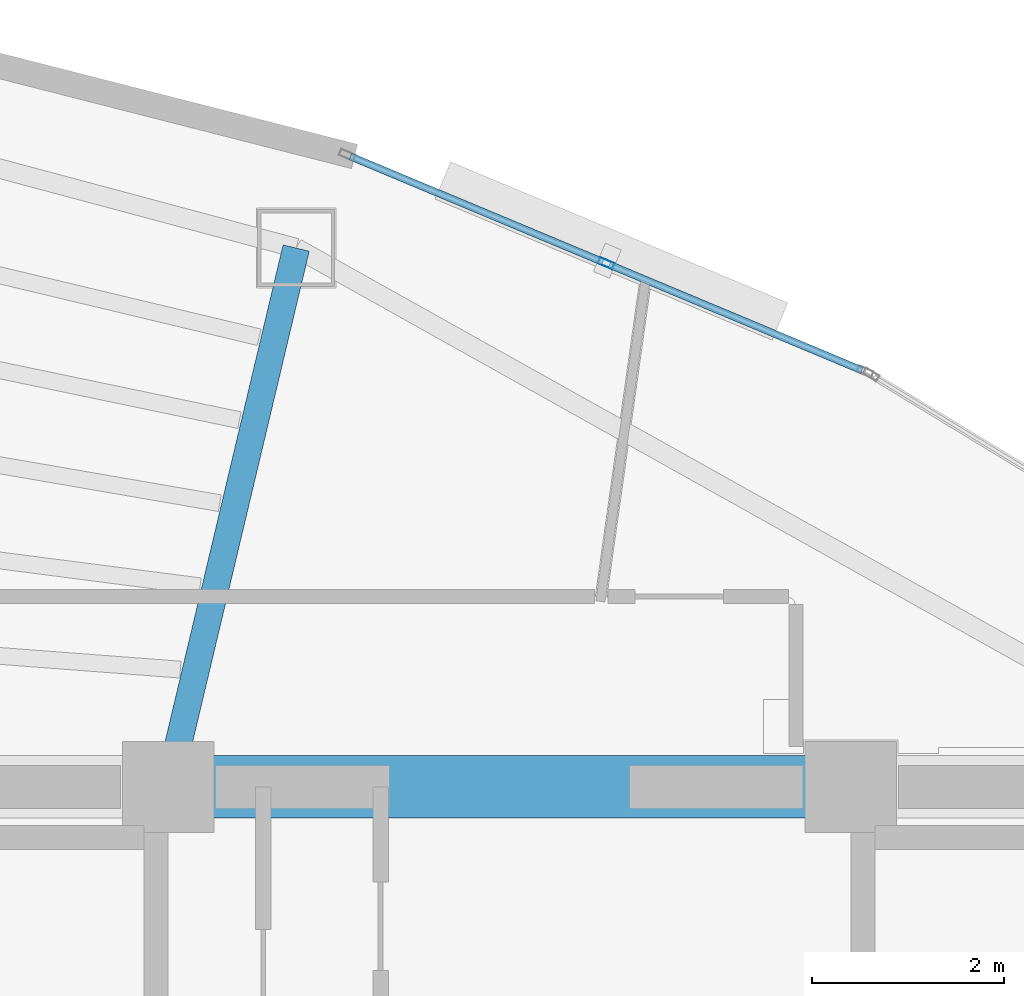
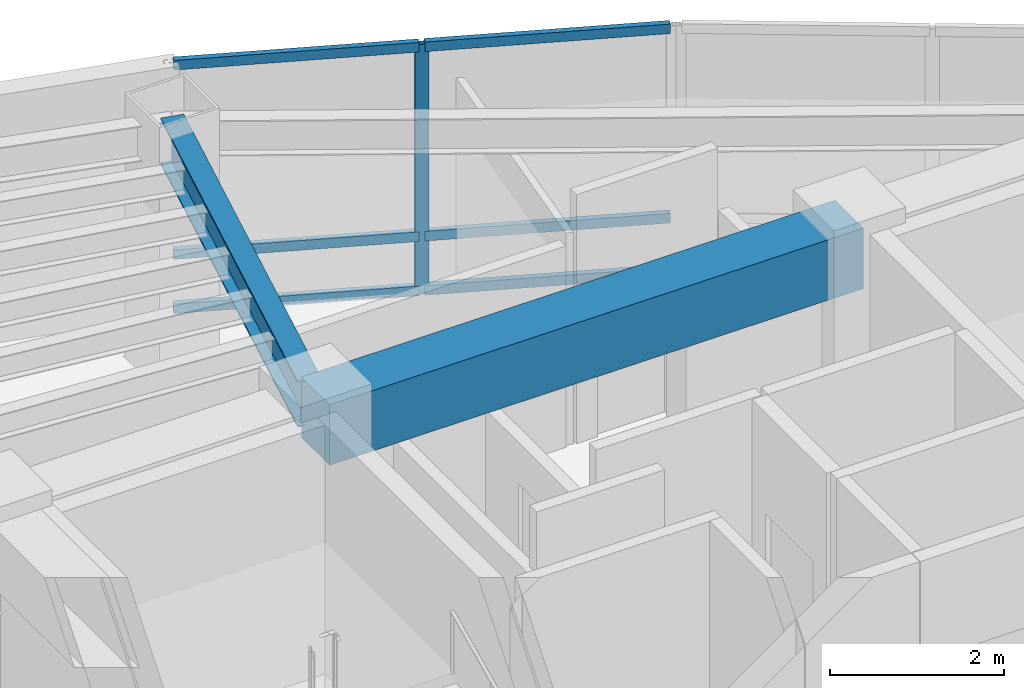
# One storey, part 8 of 16: 7 members, 2 beams, 1 element without a shape of its own.
"""IFC4 building model written with IfcOpenShell, lengths in metres."""

from ifc_helpers import new_model, si_unit, direction, frame, origin, origin_2d, place, context, subcontext, project, spatial, rectangle, hollow_rectangle, i_section, extrude, material, layer, layer_set, material_profile, profile_set, type_object, element, aggregate, save


model = new_model("IFC4")

# Units and contexts
model_context = context("Model", 3, precision=1e-05, world=origin(), true_north=direction((0.0, 1.0)))
body_context = subcontext(model_context, "Body", "Model", "MODEL_VIEW")
ifc_project = project(units=[si_unit("LENGTHUNIT", "METRE"), si_unit("AREAUNIT", "SQUARE_METRE"), si_unit("VOLUMEUNIT", "CUBIC_METRE"), si_unit("PLANEANGLEUNIT", "RADIAN"), si_unit("MASSUNIT", "GRAM", prefix="KILO")], contexts=[model_context])

# Site, building, storey
site_placement = place(None, origin())
site = spatial("IfcSite", under=ifc_project, at=site_placement, CompositionType="ELEMENT")
building_placement = place(site_placement, origin())
building = spatial("IfcBuilding", under=site, at=building_placement, Name="Menara Vayukalpa", CompositionType="ELEMENT")
storey_placement = place(building_placement, frame((0.0, 0.0, 276.89990234375)))
storey = spatial("IfcBuildingStorey", under=building, at=storey_placement, Name="L70", CompositionType="ELEMENT", Elevation=276.89990234375)

# Beams
ifc_material_1 = material(Name="Concrete C60/75", Category="concrete")
ifc_material_profile_1 = material_profile(ifc_material_1, rectangle(XDim=0.64990234375, YDim=0.85009765625, at=origin_2d()), Name="RC 650x850")
ifc_profile_set_1 = profile_set([ifc_material_profile_1], Name="Concrete C60/75")
beam_type_1 = type_object("IfcBeamType", Name="BM-CB1", PredefinedType="BEAM", material=ifc_profile_set_1)
beam_1_placement = place(storey_placement, frame((22.050048828125, 26.800048828125, 3.0751953125), z_axis=(1.0, 0.0, 0.0), x_axis=(0.0, 1.0, 0.0)))
element("IfcBeam", 1, at=beam_1_placement, inside=storey, type_object=beam_type_1, Name="L70 Core Tie Beam CBR5", PredefinedType="BEAM", context=body_context, shape_type="SweptSolid", body=[
    extrude(rectangle(XDim=0.64990234375, YDim=0.85009765625, at=origin_2d()), origin(), (0.0, 0.0, 1.0), 7.099853515625),
])
ifc_material_2 = material(Name="Steel S355", Category="steel")
ifc_material_profile_2 = material_profile(ifc_material_2, i_section(OverallWidth=0.280029296875, OverallDepth=0.64990234375, WebThickness=0.012939453125, FlangeThickness=0.02197265625, at=origin_2d()), Name="WF 650x280x13x22")
ifc_profile_set_2 = profile_set([ifc_material_profile_2], Name="Steel S355")
beam_type_2 = type_object("IfcBeamType", Name="BM-PG6", PredefinedType="BEAM", material=ifc_profile_set_2)
beam_2_placement = place(storey_placement, frame((22.10791015625, 27.043212890625, 3.175048828125), z_axis=(0.231167310854, 0.972914011818, 0.0), x_axis=(-0.972914011818, 0.231167310854, 0.0)))
element("IfcBeam", 2, at=beam_2_placement, inside=storey, type_object=beam_type_2, Name="L70 Primary Radial Girder RG03", PredefinedType="BEAM", context=body_context, shape_type="SweptSolid", body=[
    extrude(i_section(OverallWidth=0.280029296875, OverallDepth=0.64990234375, WebThickness=0.012939453125, FlangeThickness=0.02197265625, at=origin_2d()), origin(), (0.0, 0.0, 1.0), 5.5107421875),
])

# Curtain wall, members
ifc_material_3 = material(Name="Anodised Terracotta Aluminium Alloy 6063-T6", Category="masonry")
ifc_layer = layer(ifc_material_3, 0.1650390625)
ifc_layer_set = layer_set([ifc_layer], Name="Anodised Terracotta Aluminium Alloy 6063-T6")
curtain_wall_type = type_object("IfcCurtainWallType", Name="CW-CW6", PredefinedType="USERDEFINED", material=ifc_layer_set)
curtain_wall_placement = place(storey_placement, origin())
curtain_wall = element("IfcCurtainWall", 3, at=curtain_wall_placement, inside=storey, type_object=curtain_wall_type, Name="L70 Observation and Executive Curtain Wall CW6 05", ObjectType="UNITISED", PredefinedType="USERDEFINED")
ifc_material_4 = material(Name="Anodised Terracotta Aluminium Alloy 6063-T6", Category="masonry")
ifc_material_profile_3 = material_profile(ifc_material_4, hollow_rectangle(XDim=0.070068359375, YDim=0.1650390625, WallThickness=0.00390625, at=origin_2d()), Name="ALU 70x165x4")
ifc_profile_set_3 = profile_set([ifc_material_profile_3], Name="Anodised Terracotta Aluminium Alloy 6063-T6")
member_type_1 = type_object("IfcMemberType", Name="CWM-CW6", PredefinedType="MULLION", material=ifc_profile_set_3)
member_1_placement = place(storey_placement, frame((26.60595703125, 32.2451171875, 0.0), z_axis=(0.0, 0.0, 1.0), x_axis=(-0.385899911703, -0.922540653927, 0.0)))
member_1 = element("IfcMember", 4, at=member_1_placement, type_object=member_type_1, Name="CW6 mullion 2", PredefinedType="MULLION", context=body_context, shape_type="SweptSolid", body=[
    extrude(hollow_rectangle(XDim=0.070068359375, YDim=0.1650390625, WallThickness=0.00390625, at=origin_2d()), origin(), (0.0, 0.0, 1.0), 3.5),
])
ifc_material_5 = material(Name="Anodised Terracotta Aluminium Alloy 6063-T6", Category="masonry")
ifc_material_profile_4 = material_profile(ifc_material_5, hollow_rectangle(XDim=0.074951171875, YDim=0.135009765625, WallThickness=0.00390625, at=origin_2d()), Name="ALU 75x135x4")
ifc_profile_set_4 = profile_set([ifc_material_profile_4], Name="Anodised Terracotta Aluminium Alloy 6063-T6")
member_type_2 = type_object("IfcMemberType", Name="CWT-CW6", PredefinedType="USERDEFINED", material=ifc_profile_set_4)
member_2_placement = place(storey_placement, frame((29.266357421875, 31.13232421875, 0.03759765625), z_axis=(-0.922528286758, 0.385929475592, 0.0), x_axis=(-0.385929475592, -0.922528286758, 0.0)))
member_2 = element("IfcMember", 5, at=member_2_placement, type_object=member_type_2, Name="CW6 transom 1.1", ObjectType="TRANSOM", PredefinedType="USERDEFINED", context=body_context, shape_type="SweptSolid", body=[
    extrude(hollow_rectangle(XDim=0.074951171875, YDim=0.135009765625, WallThickness=0.00390625, at=origin_2d()), origin(), (0.0, 0.0, 1.0), 2.8486328125),
])
member_3_placement = place(storey_placement, frame((29.266357421875, 31.13232421875, 0.800048828125), z_axis=(-0.922528286758, 0.385929475592, 0.0), x_axis=(-0.385929475592, -0.922528286758, 0.0)))
member_3 = element("IfcMember", 6, at=member_3_placement, type_object=member_type_2, Name="CW6 transom 1.2", ObjectType="TRANSOM", PredefinedType="USERDEFINED", context=body_context, shape_type="SweptSolid", body=[
    extrude(hollow_rectangle(XDim=0.074951171875, YDim=0.135009765625, WallThickness=0.00390625, at=origin_2d()), origin(), (0.0, 0.0, 1.0), 2.8486328125),
])
member_4_placement = place(storey_placement, frame((29.266357421875, 31.13232421875, 3.462646484375), z_axis=(-0.922528286758, 0.385929475592, 0.0), x_axis=(-0.385929475592, -0.922528286758, 0.0)))
member_4 = element("IfcMember", 7, at=member_4_placement, type_object=member_type_2, Name="CW6 transom 1.3", ObjectType="TRANSOM", PredefinedType="USERDEFINED", context=body_context, shape_type="SweptSolid", body=[
    extrude(hollow_rectangle(XDim=0.074951171875, YDim=0.135009765625, WallThickness=0.00390625, at=origin_2d()), origin(), (0.0, 0.0, 1.0), 2.8486328125),
])
member_5_placement = place(storey_placement, frame((26.57373046875, 32.258544921875, 0.03759765625), z_axis=(-0.922541050276, 0.38589896418, 0.0), x_axis=(-0.38589896418, -0.922541050276, 0.0)))
member_5 = element("IfcMember", 8, at=member_5_placement, type_object=member_type_2, Name="CW6 transom 2.1", ObjectType="TRANSOM", PredefinedType="USERDEFINED", context=body_context, shape_type="SweptSolid", body=[
    extrude(hollow_rectangle(XDim=0.074951171875, YDim=0.135009765625, WallThickness=0.00390625, at=origin_2d()), origin(), (0.0, 0.0, 1.0), 2.848876953125),
])
member_6_placement = place(storey_placement, frame((26.57373046875, 32.258544921875, 0.800048828125), z_axis=(-0.922541050276, 0.38589896418, 0.0), x_axis=(-0.38589896418, -0.922541050276, 0.0)))
member_6 = element("IfcMember", 9, at=member_6_placement, type_object=member_type_2, Name="CW6 transom 2.2", ObjectType="TRANSOM", PredefinedType="USERDEFINED", context=body_context, shape_type="SweptSolid", body=[
    extrude(hollow_rectangle(XDim=0.074951171875, YDim=0.135009765625, WallThickness=0.00390625, at=origin_2d()), origin(), (0.0, 0.0, 1.0), 2.848876953125),
])
member_7_placement = place(storey_placement, frame((26.57373046875, 32.258544921875, 3.462646484375), z_axis=(-0.922541050276, 0.38589896418, 0.0), x_axis=(-0.38589896418, -0.922541050276, 0.0)))
member_7 = element("IfcMember", 10, at=member_7_placement, type_object=member_type_2, Name="CW6 transom 2.3", ObjectType="TRANSOM", PredefinedType="USERDEFINED", context=body_context, shape_type="SweptSolid", body=[
    extrude(hollow_rectangle(XDim=0.074951171875, YDim=0.135009765625, WallThickness=0.00390625, at=origin_2d()), origin(), (0.0, 0.0, 1.0), 2.848876953125),
])
aggregate(curtain_wall, [member_1, member_2, member_3, member_4, member_5, member_6, member_7])

save(model, "model.ifc")
